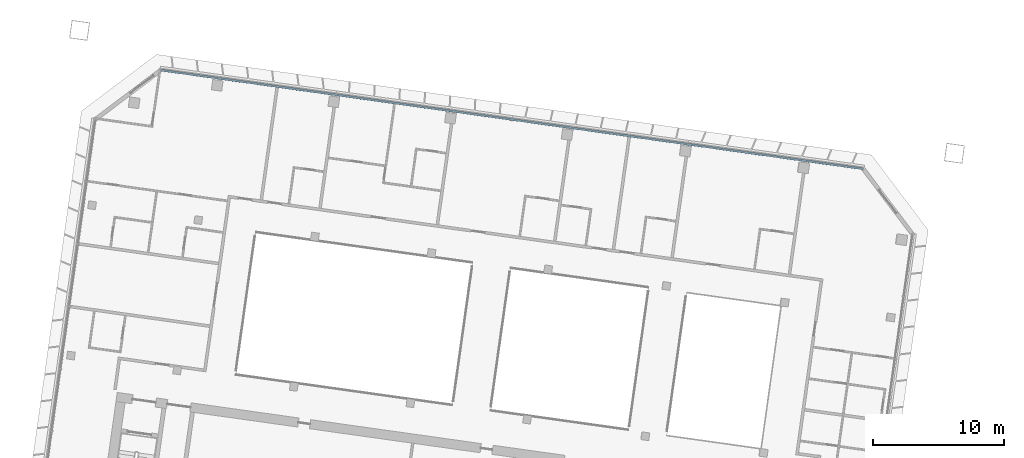
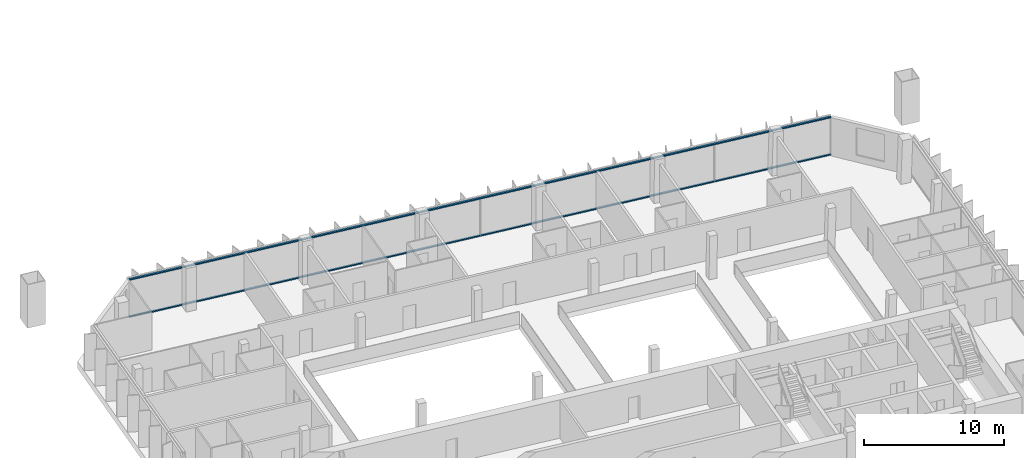
# One storey, part 4 of 26: 2 members, 1 element without a shape of its own.
"""IFC4 building model written with IfcOpenShell, lengths in metres."""

from ifc_helpers import new_model, si_unit, direction, frame, origin, origin_2d, place, context, subcontext, project, spatial, rectangle, extrude, material, material_profile, profile_set, type_object, element, aggregate, save


model = new_model("IFC4")

# Units and contexts
model_context = context("Model", 3, precision=1e-05, world=origin(), true_north=direction((0.0, 1.0)))
body_context = subcontext(model_context, "Body", "Model", "MODEL_VIEW")
ifc_project = project(units=[si_unit("LENGTHUNIT", "METRE"), si_unit("AREAUNIT", "SQUARE_METRE"), si_unit("VOLUMEUNIT", "CUBIC_METRE"), si_unit("PLANEANGLEUNIT", "RADIAN"), si_unit("MASSUNIT", "GRAM", prefix="KILO")], contexts=[model_context])

# Site, building, storey
site_placement = place(None, origin())
site = spatial("IfcSite", under=ifc_project, at=site_placement, CompositionType="ELEMENT")
building_placement = place(site_placement, origin())
building = spatial("IfcBuilding", under=site, at=building_placement, Name="Mirante Cascada Hotel Towers", CompositionType="ELEMENT")
storey_placement = place(building_placement, frame((0.0, 0.0, 168.8)))
storey = spatial("IfcBuildingStorey", under=building, at=storey_placement, Name="L39", CompositionType="ELEMENT", Elevation=168.8)

# Curtain wall, members
ifc_material_1 = material(Name="Aluminium mullion and transom frame with clear laminated glass", Category="aluminium")
curtain_wall_type = type_object("IfcCurtainWallType", Name="Ribbon curtain wall ECW1", PredefinedType="NOTDEFINED", material=ifc_material_1)
curtain_wall_placement = place(storey_placement, origin())
curtain_wall = element("IfcCurtainWall", 1, at=curtain_wall_placement, inside=storey, type_object=curtain_wall_type, Name="Front ribbon wall T1 L39", PredefinedType="NOTDEFINED")
ifc_material_2 = material(Name="Anodised aluminium extrusion", Category="aluminium")
ifc_material_profile = material_profile(ifc_material_2, rectangle(XDim=0.16, YDim=0.1, at=origin_2d()), Name="ECW1 TRANSOM 100x160")
ifc_profile_set = profile_set([ifc_material_profile], Name="Anodised aluminium extrusion")
member_type = type_object("IfcMemberType", Name="ECW1 transom 100x160", PredefinedType="USERDEFINED", material=ifc_profile_set)
member_1_placement = place(storey_placement, frame((-85.2457, 24.7995, 0.05), z_axis=(0.9902682, -0.1391722, 0.0), x_axis=(0.1391722, 0.9902682, 0.0)))
member_1 = element("IfcMember", 2, at=member_1_placement, type_object=member_type, Name="ECW1 sill transom", ObjectType="TRANSOM", PredefinedType="USERDEFINED", context=body_context, shape_type="SweptSolid", body=[
    extrude(rectangle(XDim=0.16, YDim=0.1, at=origin_2d()), origin(), (0.0, 0.0, 1.0), 54.2134),
])
member_2_placement = place(storey_placement, frame((-85.2457, 24.7995, 3.3), z_axis=(0.9902682, -0.1391722, 0.0), x_axis=(0.1391722, 0.9902682, 0.0)))
member_2 = element("IfcMember", 3, at=member_2_placement, type_object=member_type, Name="ECW1 head transom", ObjectType="TRANSOM", PredefinedType="USERDEFINED", context=body_context, shape_type="SweptSolid", body=[
    extrude(rectangle(XDim=0.16, YDim=0.1, at=origin_2d()), origin(), (0.0, 0.0, 1.0), 54.2134),
])
aggregate(curtain_wall, [member_1, member_2])

save(model, "model.ifc")
